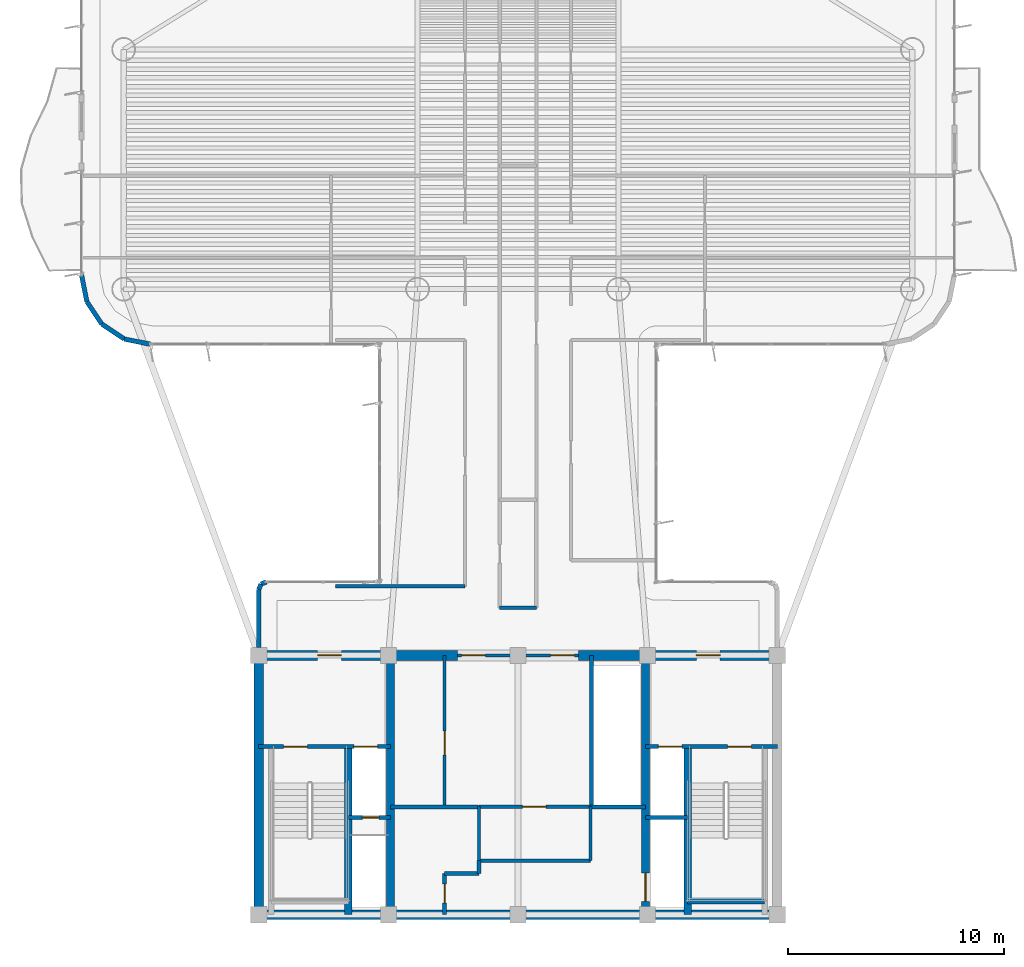
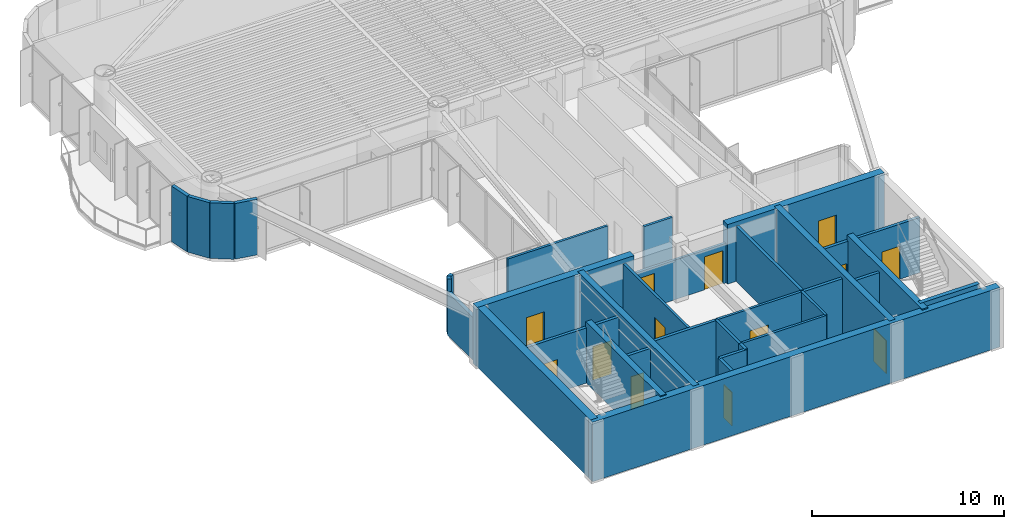
# One storey, part 9 of 14: 34 walls, 13 doors, 13 openings.
"""IFC4 building model written with IfcOpenShell, lengths in metres."""

from ifc_helpers import new_model, si_unit, direction, frame, frame_2d, origin, origin_2d, place, context, subcontext, project, spatial, rectangle, extrude, source, transform, mapped, material, layer, layer_set, type_object, element, fill, save


model = new_model("IFC4")

# Units and contexts
model_context = context("Model", 3, precision=1e-05, world=origin(), true_north=direction((0.0, 1.0)))
body_context = subcontext(model_context, "Body", "Model", "MODEL_VIEW")
ifc_project = project(units=[si_unit("LENGTHUNIT", "METRE"), si_unit("AREAUNIT", "SQUARE_METRE"), si_unit("VOLUMEUNIT", "CUBIC_METRE"), si_unit("PLANEANGLEUNIT", "RADIAN"), si_unit("MASSUNIT", "GRAM", prefix="KILO")], contexts=[model_context])

# Site, building, storey
site_placement = place(None, origin())
site = spatial("IfcSite", under=ifc_project, at=site_placement, CompositionType="ELEMENT")
building_placement = place(site_placement, origin())
building = spatial("IfcBuilding", under=site, at=building_placement, Name="Brelvock Crest Care Tower", CompositionType="ELEMENT")
storey_placement = place(building_placement, frame((0.0, 0.0, 179.10009765625)))
storey = spatial("IfcBuildingStorey", under=building, at=storey_placement, Name="L45", CompositionType="ELEMENT", Elevation=179.10009765625)

# Walls
ifc_material_1 = material(Name="Concrete S65 (65 MPa)", Category="concrete")
ifc_layer_1 = layer(ifc_material_1, 0.449951171875, Name="WL-CS3")
ifc_layer_set_1 = layer_set([ifc_layer_1], Name="Concrete S65 (65 MPa)")
wall_type_1 = type_object("IfcWallType", Name="WL-CS3", PredefinedType="SHEAR", material=ifc_layer_set_1)
wall_1_placement = place(storey_placement, frame((48.22509765625, 6.0, 0.0), z_axis=(0.0, 0.0, 1.0), x_axis=(-1.0, 0.0, 0.0)))
element("IfcWall", 1, at=wall_1_placement, inside=storey, type_object=wall_type_1, Name="L45 Core South Shear Wall", PredefinedType="SHEAR", context=body_context, shape_type="SweptSolid", body=[
    extrude(rectangle(XDim=24.4501953125, YDim=0.449951171875, at=frame_2d((12.22509765625, 0.0))), origin(), (0.0, 0.0, 1.0), 3.77978515625),
])
wall_2_placement = place(storey_placement, frame((24.0, 6.0, 0.0), z_axis=(0.0, 0.0, 1.0), x_axis=(0.0, 1.0, 0.0)))
element("IfcWall", 2, at=wall_2_placement, inside=storey, type_object=wall_type_1, Name="L45 Core West Shear Wall", PredefinedType="SHEAR", context=body_context, shape_type="SweptSolid", body=[
    extrude(rectangle(XDim=12.0, YDim=0.449951171875, at=frame_2d((6.0, 0.0))), origin(), (0.0, 0.0, 1.0), 3.77978515625),
])

# Wall, opening, door
wall_3_placement = place(storey_placement, frame((23.77490234375, 18.0, 0.0), z_axis=(0.0, 0.0, 1.0), x_axis=(1.0, 0.0, 0.0)))
wall_3 = element("IfcWall", 3, at=wall_3_placement, inside=storey, type_object=wall_type_1, Name="L45 Core North-West Shear Wall", PredefinedType="SHEAR", context=body_context, shape_type="SweptSolid", body=[
    extrude(rectangle(XDim=9.425048828125, YDim=0.449951171875, at=frame_2d((4.71240234375, 0.0))), origin(), (0.0, 0.0, 1.0), 3.77978515625),
])
opening_1_placement = place(wall_3_placement, frame((2.949951171875, 0.0, 0.0)))
opening_1 = element("IfcOpeningElement", 4, at=opening_1_placement, cuts=wall_3, Name="Opening FD-1", PredefinedType="OPENING", context=body_context, shape_type="SweptSolid", body=[
    extrude(rectangle(XDim=1.10009765625, YDim=2.10009765625, at=origin_2d()), frame((0.550048828125, 0.23486328125, 1.050048828125), z_axis=(0.0, -1.0, 0.0), x_axis=(1.0, 0.0, 0.0)), (0.0, 0.0, 1.0), 0.469970703125),
])
ifc_material_2 = material(Name="Steel Grade 350", Category="steel")
door_type_1 = type_object("IfcDoorType", Name="DR-FFL1", OperationType="NOTDEFINED", PredefinedType="DOOR", material=ifc_material_2)
shared_shape_1 = source(origin(), body_context, "Body", "SweptSolid", [
    extrude(rectangle(XDim=1.10009765625, YDim=2.10009765625, at=origin_2d()), frame((0.550048828125, 0.02490234375, 1.050048828125), z_axis=(0.0, -1.0, 0.0), x_axis=(1.0, 0.0, 0.0)), (0.0, 0.0, 1.0), 0.050048828125),
])
door_1_placement = place(opening_1_placement, origin())
door_1 = element("IfcDoor", 5, at=door_1_placement, inside=storey, type_object=door_type_1, Name="L45 Firefighting Lobby FFL-1 Exit Door", OperationType="SINGLE_SWING_LEFT", OverallHeight=2.10009765625, OverallWidth=1.10009765625, PredefinedType="DOOR", context=body_context, shape_type="MappedRepresentation", body=[
    mapped(shared_shape_1, transform((0.0, 0.0, 0.0), x_axis=(1.0, 0.0, 0.0), y_axis=(0.0, 1.0, 0.0), z_axis=(0.0, 0.0, 1.0), scale=1.0)),
])
fill(opening_1, door_1)

wall_4_placement = place(storey_placement, frame((38.800048828125, 18.0, 0.0), z_axis=(0.0, 0.0, 1.0), x_axis=(1.0, 0.0, 0.0)))
wall_4 = element("IfcWall", 6, at=wall_4_placement, inside=storey, type_object=wall_type_1, Name="L45 Core North-East Shear Wall", PredefinedType="SHEAR", context=body_context, shape_type="SweptSolid", body=[
    extrude(rectangle(XDim=9.425048828125, YDim=0.449951171875, at=frame_2d((4.71240234375, 0.0))), origin(), (0.0, 0.0, 1.0), 3.77978515625),
])
opening_2_placement = place(wall_4_placement, frame((5.449951171875, 0.0, 0.0)))
opening_2 = element("IfcOpeningElement", 7, at=opening_2_placement, cuts=wall_4, Name="Opening FD-1", PredefinedType="OPENING", context=body_context, shape_type="SweptSolid", body=[
    extrude(rectangle(XDim=1.10009765625, YDim=2.10009765625, at=origin_2d()), frame((0.550048828125, 0.23486328125, 1.050048828125), z_axis=(0.0, -1.0, 0.0), x_axis=(1.0, 0.0, 0.0)), (0.0, 0.0, 1.0), 0.469970703125),
])
door_2_placement = place(opening_2_placement, origin())
door_2 = element("IfcDoor", 8, at=door_2_placement, inside=storey, type_object=door_type_1, Name="L45 Firefighting Lobby FFL-2 Exit Door", OperationType="SINGLE_SWING_RIGHT", OverallHeight=2.10009765625, OverallWidth=1.10009765625, PredefinedType="DOOR", context=body_context, shape_type="MappedRepresentation", body=[
    mapped(shared_shape_1, transform((0.0, 0.0, 0.0), x_axis=(1.0, 0.0, 0.0), y_axis=(0.0, 1.0, 0.0), z_axis=(0.0, 0.0, 1.0), scale=1.0)),
])
fill(opening_2, door_2)

# Wall
ifc_material_3 = material(Name="Concrete S80 (80 MPa)", Category="concrete")
ifc_layer_2 = layer(ifc_material_3, 0.35009765625, Name="WL-CS5")
ifc_layer_set_2 = layer_set([ifc_layer_2], Name="Concrete S80 (80 MPa)")
wall_type_2 = type_object("IfcWallType", Name="WL-CS5", PredefinedType="SHEAR", material=ifc_layer_set_2)
wall_5_placement = place(storey_placement, frame((30.10009765625, 6.0, 0.0), z_axis=(0.0, 0.0, 1.0), x_axis=(0.0, 1.0, 0.0)))
element("IfcWall", 9, at=wall_5_placement, inside=storey, type_object=wall_type_2, Name="L45 Core Internal Web Wall West", PredefinedType="SHEAR", context=body_context, shape_type="SweptSolid", body=[
    extrude(rectangle(XDim=12.0, YDim=0.35009765625, at=frame_2d((6.0, 0.0))), origin(), (0.0, 0.0, 1.0), 3.77978515625),
])

# Wall, opening, door
wall_6_placement = place(storey_placement, frame((41.89990234375, 18.0, 0.0), z_axis=(0.0, 0.0, 1.0), x_axis=(0.0, -1.0, 0.0)))
wall_6 = element("IfcWall", 10, at=wall_6_placement, inside=storey, type_object=wall_type_2, Name="L45 Core Internal Web Wall East", PredefinedType="SHEAR", context=body_context, shape_type="SweptSolid", body=[
    extrude(rectangle(XDim=12.0, YDim=0.35009765625, at=frame_2d((6.0, 0.0))), origin(), (0.0, 0.0, 1.0), 3.77978515625),
])
opening_3_placement = place(wall_6_placement, frame((10.080078125, 0.0, 0.0)))
opening_3 = element("IfcOpeningElement", 11, at=opening_3_placement, cuts=wall_6, Name="Opening LD-S", PredefinedType="OPENING", context=body_context, shape_type="SweptSolid", body=[
    extrude(rectangle(XDim=1.300048828125, YDim=2.10009765625, at=origin_2d()), frame((0.64990234375, 0.18505859375, 1.050048828125), z_axis=(0.0, -1.0, 0.0), x_axis=(1.0, 0.0, 0.0)), (0.0, 0.0, 1.0), 0.3701171875),
])
door_type_2 = type_object("IfcDoorType", Name="DR-LDS1", OperationType="NOTDEFINED", PredefinedType="DOOR", material=ifc_material_2)
shared_shape_2 = source(origin(), body_context, "Body", "SweptSolid", [
    extrude(rectangle(XDim=1.300048828125, YDim=2.10009765625, at=origin_2d()), frame((0.64990234375, 0.02490234375, 1.050048828125), z_axis=(0.0, -1.0, 0.0), x_axis=(1.0, 0.0, 0.0)), (0.0, 0.0, 1.0), 0.050048828125),
])
door_3_placement = place(opening_3_placement, origin())
door_3 = element("IfcDoor", 12, at=door_3_placement, inside=storey, type_object=door_type_2, Name="L45 Clinical Bed Lift SL-1 Landing Door", OperationType="SLIDING_TO_LEFT", OverallHeight=2.10009765625, OverallWidth=1.300048828125, PredefinedType="DOOR", context=body_context, shape_type="MappedRepresentation", body=[
    mapped(shared_shape_2, transform((0.0, 0.0, 0.0), x_axis=(1.0, 0.0, 0.0), y_axis=(0.0, 1.0, 0.0), z_axis=(0.0, 0.0, 1.0), scale=1.0)),
])
fill(opening_3, door_3)

# Walls
for number, where, z_axis, x_axis, name in (
    (13, (28.14990234375, 6.0, 0.0), (0.0, 0.0, 1.0), (0.0, 1.0, 0.0), "L45 Core Stair ST-1 East Shear Wall"),
    (14, (43.85009765625, 6.0, 0.0), (0.0, 0.0, 1.0), (0.0, 1.0, 0.0), "L45 Core Stair ST-2 West Shear Wall"),
):
    element("IfcWall", number, at=place(storey_placement, frame(where, z_axis=z_axis, x_axis=x_axis)), inside=storey, type_object=wall_type_2, Name=name, PredefinedType="SHEAR", context=body_context, shape_type="SweptSolid", body=[
        extrude(rectangle(XDim=7.780029296875, YDim=0.35009765625, at=frame_2d((3.89013671875, 0.0))), origin(), (0.0, 0.0, 1.0), 3.849853515625),
    ])
ifc_layer_3 = layer(ifc_material_3, 0.25, Name="WL-CS6")
ifc_layer_set_3 = layer_set([ifc_layer_3], Name="Concrete S80 (80 MPa)")
wall_type_3 = type_object("IfcWallType", Name="WL-CS6", PredefinedType="SHEAR", material=ifc_layer_set_3)
wall_7_placement = place(storey_placement, frame((43.85009765625, 6.6201171875, 0.0), z_axis=(0.0, 0.0, 1.0), x_axis=(1.0, 0.0, 0.0)))
element("IfcWall", 15, at=wall_7_placement, inside=storey, type_object=wall_type_3, Name="L45 Core Stair ST-2 South Shear Wall", PredefinedType="SHEAR", context=body_context, shape_type="SweptSolid", body=[
    extrude(rectangle(XDim=3.56982421875, YDim=0.25, at=frame_2d((1.784912109375, 0.0))), origin(), (0.0, 0.0, 1.0), 3.849853515625),
])
ifc_material_4 = material(Name="Precast concrete N40 (40 MPa)", Category="concrete")
ifc_layer_4 = layer(ifc_material_4, 0.215087890625, Name="WL-EX2")
ifc_layer_set_4 = layer_set([ifc_layer_4], Name="Precast concrete N40 (40 MPa)")
wall_type_4 = type_object("IfcWallType", Name="WL-EX2", PredefinedType="SOLIDWALL", material=ifc_layer_set_4)
wall_8_placement = place(storey_placement, frame((24.0, 18.35498046875, 0.0), z_axis=(0.0, 0.0, 1.0), x_axis=(0.0, 1.0, 0.0)))
element("IfcWall", 16, at=wall_8_placement, inside=storey, type_object=wall_type_4, Name="L45 Rounded Corner Wall 07", PredefinedType="SOLIDWALL", context=body_context, shape_type="SweptSolid", body=[
    extrude(rectangle(XDim=2.695068359375, YDim=0.215087890625, at=frame_2d((1.34765625, 0.0))), origin(), (0.0, 0.0, 1.0), 2.718017578125),
])
wall_9_placement = place(storey_placement, frame((24.0, 21.050048828125, 0.0), z_axis=(0.0, 0.0, 1.0), x_axis=(0.382673670509, 0.923883575944, 0.0)))
element("IfcWall", 17, at=wall_9_placement, inside=storey, type_object=wall_type_4, Name="L45 Rounded Corner Wall 08", PredefinedType="SOLIDWALL", context=body_context, shape_type="SweptSolid", body=[
    extrude(rectangle(XDim=0.26806640625, YDim=0.215087890625, at=frame_2d((0.134033203125, 0.0))), origin(), (0.0, 0.0, 1.0), 3.52978515625),
])
wall_10_placement = place(storey_placement, frame((24.1025390625, 21.297607421875, 0.0), z_axis=(0.0, 0.0, 1.0), x_axis=(0.924205486139, 0.381895560841, 0.0)))
element("IfcWall", 18, at=wall_10_placement, inside=storey, type_object=wall_type_4, Name="L45 Rounded Corner Wall 09", PredefinedType="SOLIDWALL", context=body_context, shape_type="SweptSolid", body=[
    extrude(rectangle(XDim=0.267822265625, YDim=0.215087890625, at=frame_2d((0.1337890625, 0.0))), origin(), (0.0, 0.0, 1.0), 3.52978515625),
])
for number, where, z_axis, x_axis, name in (
    (19, (19.0, 32.39990234375, 0.0), (0.0, 0.0, 1.0), (-0.980775717779, 0.195138390419, 0.0), "L45 Rounded Corner Wall 13"),
    (20, (17.775390625, 32.6435546875, 0.0), (0.0, 0.0, 1.0), (-0.831387912822, 0.555692485475, 0.0), "L45 Rounded Corner Wall 14"),
    (21, (16.7373046875, 33.33740234375, 0.0), (0.0, 0.0, 1.0), (-0.555557312883, 0.831478245117, 0.0), "L45 Rounded Corner Wall 15"),
    (22, (16.043701171875, 34.37548828125, 0.0), (0.0, 0.0, 1.0), (-0.195138390419, 0.980775717779, 0.0), "L45 Rounded Corner Wall 16"),
):
    element("IfcWall", number, at=place(storey_placement, frame(where, z_axis=z_axis, x_axis=x_axis)), inside=storey, type_object=wall_type_4, Name=name, PredefinedType="SOLIDWALL", context=body_context, shape_type="SweptSolid", body=[
        extrude(rectangle(XDim=1.24853515625, YDim=0.215087890625, at=frame_2d((0.624267578125, 0.0))), origin(), (0.0, 0.0, 1.0), 3.52978515625),
    ])

# Wall, opening, door
ifc_material_5 = material(Name="Masonry Blockwork Acoustic Partition", Category="masonry")
ifc_layer_5 = layer(ifc_material_5, 0.14990234375, Name="WL-INT1")
ifc_layer_set_5 = layer_set([ifc_layer_5], Name="Masonry Blockwork Acoustic Partition")
wall_type_5 = type_object("IfcWallType", Name="WL-INT1", PredefinedType="PARTITIONING", material=ifc_layer_set_5)
wall_11_placement = place(storey_placement, frame((32.60009765625, 11.0, 0.0), z_axis=(0.0, 0.0, 1.0), x_axis=(0.0, 1.0, 0.0)))
wall_11 = element("IfcWall", 23, at=wall_11_placement, inside=storey, type_object=wall_type_5, Name="L45 Interior Wall WL-CRCL-E-L45", PredefinedType="PARTITIONING", context=body_context, shape_type="SweptSolid", body=[
    extrude(rectangle(XDim=7.0, YDim=0.14990234375, at=frame_2d((3.5, 0.0))), origin(), (0.0, 0.0, 1.0), 3.5),
])
opening_4_placement = place(wall_11_placement, frame((2.39990234375, 0.0, 0.0)))
opening_4 = element("IfcOpeningElement", 24, at=opening_4_placement, cuts=wall_11, Name="Opening PD-1", PredefinedType="OPENING", context=body_context, shape_type="SweptSolid", body=[
    extrude(rectangle(XDim=1.10009765625, YDim=2.10009765625, at=origin_2d()), frame((0.550048828125, 0.0849609375, 1.050048828125), z_axis=(0.0, -1.0, 0.0), x_axis=(1.0, 0.0, 0.0)), (0.0, 0.0, 1.0), 0.169921875),
])
door_type_3 = type_object("IfcDoorType", Name="DR-PLT1", OperationType="NOTDEFINED", PredefinedType="DOOR", material=ifc_material_2)
shared_shape_3 = source(origin(), body_context, "Body", "SweptSolid", [
    extrude(rectangle(XDim=1.10009765625, YDim=2.10009765625, at=origin_2d()), frame((0.550048828125, 0.02490234375, 1.050048828125), z_axis=(0.0, -1.0, 0.0), x_axis=(1.0, 0.0, 0.0)), (0.0, 0.0, 1.0), 0.050048828125),
])
door_4_placement = place(opening_4_placement, origin())
door_4 = element("IfcDoor", 25, at=door_4_placement, inside=storey, type_object=door_type_3, Name="DR-CRCL1-L45", OperationType="SINGLE_SWING_LEFT", OverallHeight=2.10009765625, OverallWidth=1.10009765625, PredefinedType="DOOR", context=body_context, shape_type="MappedRepresentation", body=[
    mapped(shared_shape_3, transform((0.0, 0.0, 0.0), x_axis=(1.0, 0.0, 0.0), y_axis=(0.0, 1.0, 0.0), z_axis=(0.0, 0.0, 1.0), scale=1.0)),
])
fill(opening_4, door_4)

# Walls
wall_12_placement = place(storey_placement, frame((34.199951171875, 8.5, 0.0), z_axis=(0.0, 0.0, 1.0), x_axis=(1.0, 0.0, 0.0)))
element("IfcWall", 26, at=wall_12_placement, inside=storey, type_object=wall_type_5, Name="L45 Interior Wall WL-CRCM-S-L45", PredefinedType="PARTITIONING", context=body_context, shape_type="SweptSolid", body=[
    extrude(rectangle(XDim=5.150146484375, YDim=0.14990234375, at=frame_2d((2.5751953125, 0.0))), origin(), (0.0, 0.0, 1.0), 3.5),
])
for number, where, z_axis, x_axis, name in (
    (27, (34.199951171875, 8.5, 0.0), (0.0, 0.0, 1.0), (0.0, 1.0, 0.0), "L45 Interior Wall WL-CRCM-W-L45"),
    (28, (39.35009765625, 8.5, 0.0), (0.0, 0.0, 1.0), (0.0, 1.0, 0.0), "L45 Interior Wall WL-CRCM-E-L45"),
):
    element("IfcWall", number, at=place(storey_placement, frame(where, z_axis=z_axis, x_axis=x_axis)), inside=storey, type_object=wall_type_5, Name=name, PredefinedType="PARTITIONING", context=body_context, shape_type="SweptSolid", body=[
        extrude(rectangle(XDim=2.5, YDim=0.14990234375, at=frame_2d((1.25, 0.0))), origin(), (0.0, 0.0, 1.0), 3.5),
    ])

# Wall, opening, door
wall_13_placement = place(storey_placement, frame((34.199951171875, 11.0, 0.0), z_axis=(0.0, 0.0, 1.0), x_axis=(1.0, 0.0, 0.0)))
wall_13 = element("IfcWall", 29, at=wall_13_placement, inside=storey, type_object=wall_type_5, Name="L45 Interior Wall WL-CRCM-N-L45", PredefinedType="PARTITIONING", context=body_context, shape_type="SweptSolid", body=[
    extrude(rectangle(XDim=5.150146484375, YDim=0.14990234375, at=frame_2d((2.5751953125, 0.0))), origin(), (0.0, 0.0, 1.0), 3.5),
])
opening_5_placement = place(wall_13_placement, frame((2.0, 0.0, 0.0)))
opening_5 = element("IfcOpeningElement", 30, at=opening_5_placement, cuts=wall_13, Name="Opening PD-1", PredefinedType="OPENING", context=body_context, shape_type="SweptSolid", body=[
    extrude(rectangle(XDim=1.10009765625, YDim=2.10009765625, at=origin_2d()), frame((0.550048828125, 0.0849609375, 1.050048828125), z_axis=(0.0, -1.0, 0.0), x_axis=(1.0, 0.0, 0.0)), (0.0, 0.0, 1.0), 0.169921875),
])
door_5_placement = place(opening_5_placement, origin())
door_5 = element("IfcDoor", 31, at=door_5_placement, inside=storey, type_object=door_type_3, Name="DR-CRCM1-L45", OperationType="SINGLE_SWING_LEFT", OverallHeight=2.10009765625, OverallWidth=1.10009765625, PredefinedType="DOOR", context=body_context, shape_type="MappedRepresentation", body=[
    mapped(shared_shape_3, transform((0.0, 0.0, 0.0), x_axis=(1.0, 0.0, 0.0), y_axis=(0.0, 1.0, 0.0), z_axis=(0.0, 0.0, 1.0), scale=1.0)),
])
fill(opening_5, door_5)

# Wall, openings, doors
wall_14_placement = place(storey_placement, frame((33.199951171875, 18.0, 0.0), z_axis=(0.0, 0.0, 1.0), x_axis=(1.0, 0.0, 0.0)))
wall_14 = element("IfcWall", 32, at=wall_14_placement, inside=storey, type_object=wall_type_5, Name="L45 Interior Wall WL-CORE-NPORT-L45", PredefinedType="PARTITIONING", context=body_context, shape_type="SweptSolid", body=[
    extrude(rectangle(XDim=5.60009765625, YDim=0.14990234375, at=frame_2d((2.800048828125, 0.0))), origin(), (0.0, 0.0, 1.0), 2.514892578125),
])
opening_6_placement = place(wall_14_placement, frame((0.18994140625, 0.0, 0.0)))
opening_6 = element("IfcOpeningElement", 33, at=opening_6_placement, cuts=wall_14, Name="Opening FD-1", PredefinedType="OPENING", context=body_context, shape_type="SweptSolid", body=[
    extrude(rectangle(XDim=1.10009765625, YDim=2.10009765625, at=origin_2d()), frame((0.550048828125, 0.0849609375, 1.050048828125), z_axis=(0.0, -1.0, 0.0), x_axis=(1.0, 0.0, 0.0)), (0.0, 0.0, 1.0), 0.169921875),
])
opening_7_placement = place(wall_14_placement, frame((4.31005859375, 0.0, 0.0)))
opening_7 = element("IfcOpeningElement", 34, at=opening_7_placement, cuts=wall_14, Name="Opening FD-1", PredefinedType="OPENING", context=body_context, shape_type="SweptSolid", body=[
    extrude(rectangle(XDim=1.10009765625, YDim=2.10009765625, at=origin_2d()), frame((0.550048828125, 0.0849609375, 1.050048828125), z_axis=(0.0, -1.0, 0.0), x_axis=(1.0, 0.0, 0.0)), (0.0, 0.0, 1.0), 0.169921875),
])
door_6_placement = place(opening_6_placement, origin())
door_6 = element("IfcDoor", 35, at=door_6_placement, inside=storey, type_object=door_type_1, Name="L45 Lift Lobby North Smoke Door West", OperationType="SINGLE_SWING_LEFT", OverallHeight=2.10009765625, OverallWidth=1.10009765625, PredefinedType="DOOR", context=body_context, shape_type="MappedRepresentation", body=[
    mapped(shared_shape_1, transform((0.0, 0.0, 0.0), x_axis=(1.0, 0.0, 0.0), y_axis=(0.0, 1.0, 0.0), z_axis=(0.0, 0.0, 1.0), scale=1.0)),
])
fill(opening_6, door_6)
door_7_placement = place(opening_7_placement, origin())
door_7 = element("IfcDoor", 36, at=door_7_placement, inside=storey, type_object=door_type_1, Name="L45 Lift Lobby North Smoke Door East", OperationType="SINGLE_SWING_RIGHT", OverallHeight=2.10009765625, OverallWidth=1.10009765625, PredefinedType="DOOR", context=body_context, shape_type="MappedRepresentation", body=[
    mapped(shared_shape_1, transform((0.0, 0.0, 0.0), x_axis=(1.0, 0.0, 0.0), y_axis=(0.0, 1.0, 0.0), z_axis=(0.0, 0.0, 1.0), scale=1.0)),
])
fill(opening_7, door_7)

# Walls
wall_15_placement = place(storey_placement, frame((27.5576171875, 21.199951171875, 0.0), z_axis=(0.0, 0.0, 1.0), x_axis=(1.0, 0.0, 0.0)))
element("IfcWall", 37, at=wall_15_placement, inside=storey, type_object=wall_type_5, Name="L45 Interior Wall WL-BX-L45-THRW-S", PredefinedType="PARTITIONING", context=body_context, shape_type="SweptSolid", body=[
    extrude(rectangle(XDim=5.992431640625, YDim=0.14990234375, at=frame_2d((2.99609375, 0.0))), origin(), (0.0, 0.0, 1.0), 3.5),
])
ifc_material_6 = material(Name="Gypsum Plasterboard Partition", Category="gypsum")
ifc_layer_6 = layer(ifc_material_6, 0.159912109375, Name="WL-PLM1")
ifc_layer_set_6 = layer_set([ifc_layer_6], Name="Gypsum Plasterboard Partition")
wall_type_6 = type_object("IfcWallType", Name="WL-PLM1", PredefinedType="PLUMBINGWALL", material=ifc_layer_set_6)
wall_16_placement = place(storey_placement, frame((35.14990234375, 20.199951171875, 0.0), z_axis=(0.0, 0.0, 1.0), x_axis=(1.0, 0.0, 0.0)))
element("IfcWall", 38, at=wall_16_placement, inside=storey, type_object=wall_type_6, Name="L45 Interior Wall WL-BX-L45-ISWC-S", PredefinedType="PLUMBINGWALL", context=body_context, shape_type="SweptSolid", body=[
    extrude(rectangle(XDim=1.7001953125, YDim=0.159912109375, at=frame_2d((0.85009765625, 0.0))), origin(), (0.0, 0.0, 1.0), 3.5),
])
ifc_layer_7 = layer(ifc_material_5, 0.179931640625, Name="WL-SHF1")
ifc_layer_set_7 = layer_set([ifc_layer_7], Name="Masonry Blockwork Acoustic Partition")
wall_type_7 = type_object("IfcWallType", Name="WL-SHF1", PredefinedType="PARTITIONING", material=ifc_layer_set_7)
wall_17_placement = place(storey_placement, frame((39.39990234375, 11.0, 0.0), z_axis=(0.0, 0.0, 1.0), x_axis=(0.0, 1.0, 0.0)))
element("IfcWall", 39, at=wall_17_placement, inside=storey, type_object=wall_type_7, Name="L45 Interior Wall WL-PLH-SHF-L45", PredefinedType="PARTITIONING", context=body_context, shape_type="SweptSolid", body=[
    extrude(rectangle(XDim=7.0, YDim=0.179931640625, at=frame_2d((3.5, 0.0))), origin(), (0.0, 0.0, 1.0), 3.5),
])
wall_18_placement = place(storey_placement, frame((30.10009765625, 10.97998046875, 0.0), z_axis=(0.0, 0.0, 1.0), x_axis=(1.0, 0.0, 0.0)))
element("IfcWall", 40, at=wall_18_placement, inside=storey, type_object=wall_type_7, Name="L45 Interior Wall WL-CSBW-N-L45", PredefinedType="PARTITIONING", context=body_context, shape_type="SweptSolid", body=[
    extrude(rectangle(XDim=4.079833984375, YDim=0.179931640625, at=frame_2d((2.0400390625, 0.0))), origin(), (0.0, 0.0, 1.0), 3.5),
])
wall_19_placement = place(storey_placement, frame((34.199951171875, 7.89990234375, 0.0), z_axis=(0.0, 0.0, 1.0), x_axis=(0.0, 1.0, 0.0)))
element("IfcWall", 41, at=wall_19_placement, inside=storey, type_object=wall_type_7, Name="L45 Interior Wall WL-CSBW-E2-L45", PredefinedType="PARTITIONING", context=body_context, shape_type="SweptSolid", body=[
    extrude(rectangle(XDim=0.60009765625, YDim=0.179931640625, at=frame_2d((0.300048828125, 0.0))), origin(), (0.0, 0.0, 1.0), 3.5),
])
wall_20_placement = place(storey_placement, frame((32.60009765625, 7.89990234375, 0.0), z_axis=(0.0, 0.0, 1.0), x_axis=(1.0, 0.0, 0.0)))
element("IfcWall", 42, at=wall_20_placement, inside=storey, type_object=wall_type_7, Name="L45 Interior Wall WL-CSBW-S2-L45", PredefinedType="PARTITIONING", context=body_context, shape_type="SweptSolid", body=[
    extrude(rectangle(XDim=1.599853515625, YDim=0.179931640625, at=frame_2d((0.7998046875, 0.0))), origin(), (0.0, 0.0, 1.0), 3.5),
])

# Wall, opening, door
wall_21_placement = place(storey_placement, frame((32.60009765625, 6.0, 0.0), z_axis=(0.0, 0.0, 1.0), x_axis=(0.0, 1.0, 0.0)))
wall_21 = element("IfcWall", 43, at=wall_21_placement, inside=storey, type_object=wall_type_7, Name="L45 Interior Wall WL-CSBW-E1-L45", PredefinedType="PARTITIONING", context=body_context, shape_type="SweptSolid", body=[
    extrude(rectangle(XDim=1.89990234375, YDim=0.179931640625, at=frame_2d((0.949951171875, 0.0))), origin(), (0.0, 0.0, 1.0), 3.5),
])
opening_8_placement = place(wall_21_placement, frame((0.550048828125, 0.0, 0.0)))
opening_8 = element("IfcOpeningElement", 44, at=opening_8_placement, cuts=wall_21, Name="Opening ID-1", PredefinedType="OPENING", context=body_context, shape_type="SweptSolid", body=[
    extrude(rectangle(XDim=0.860107421875, YDim=2.10009765625, at=origin_2d()), frame((0.43017578125, 0.10009765625, 1.050048828125), z_axis=(0.0, -1.0, 0.0), x_axis=(1.0, 0.0, 0.0)), (0.0, 0.0, 1.0), 0.199951171875),
])
ifc_material_7 = material(Name="Engineered Hardwood Timber", Category="wood")
door_type_4 = type_object("IfcDoorType", Name="DR-INT1", OperationType="NOTDEFINED", PredefinedType="DOOR", material=ifc_material_7)
shared_shape_4 = source(origin(), body_context, "Body", "SweptSolid", [
    extrude(rectangle(XDim=0.860107421875, YDim=2.10009765625, at=origin_2d()), frame((0.43017578125, 0.02490234375, 1.050048828125), z_axis=(0.0, -1.0, 0.0), x_axis=(1.0, 0.0, 0.0)), (0.0, 0.0, 1.0), 0.050048828125),
])
door_8_placement = place(opening_8_placement, origin())
door_8 = element("IfcDoor", 45, at=door_8_placement, inside=storey, type_object=door_type_4, Name="DR-CSBW-L45", OperationType="SINGLE_SWING_LEFT", OverallHeight=2.10009765625, OverallWidth=0.860107421875, PredefinedType="DOOR", context=body_context, shape_type="MappedRepresentation", body=[
    mapped(shared_shape_4, transform((0.0, 0.0, 0.0), x_axis=(1.0, 0.0, 0.0), y_axis=(0.0, 1.0, 0.0), z_axis=(0.0, 0.0, 1.0), scale=1.0)),
])
fill(opening_8, door_8)

# Wall
wall_22_placement = place(storey_placement, frame((39.35009765625, 10.97998046875, 0.0), z_axis=(0.0, 0.0, 1.0), x_axis=(1.0, 0.0, 0.0)))
element("IfcWall", 46, at=wall_22_placement, inside=storey, type_object=wall_type_7, Name="L45 Interior Wall WL-CSBE-N-L45", PredefinedType="PARTITIONING", context=body_context, shape_type="SweptSolid", body=[
    extrude(rectangle(XDim=2.5498046875, YDim=0.179931640625, at=frame_2d((1.27490234375, 0.0))), origin(), (0.0, 0.0, 1.0), 3.5),
])

# Wall, openings, doors
wall_23_placement = place(storey_placement, frame((24.0, 13.780029296875, 0.0), z_axis=(0.0, 0.0, 1.0), x_axis=(1.0, 0.0, 0.0)))
wall_23 = element("IfcWall", 47, at=wall_23_placement, inside=storey, type_object=wall_type_7, Name="L45 Interior Wall WL-ST1-N-L45", PredefinedType="PARTITIONING", context=body_context, shape_type="SweptSolid", body=[
    extrude(rectangle(XDim=6.10009765625, YDim=0.179931640625, at=frame_2d((3.050048828125, 0.0))), origin(), (0.0, 0.0, 1.0), 3.5),
])
opening_9_placement = place(wall_23_placement, frame((1.14990234375, 0.0, 0.0)))
opening_9 = element("IfcOpeningElement", 48, at=opening_9_placement, cuts=wall_23, Name="Opening SD-1", PredefinedType="OPENING", context=body_context, shape_type="SweptSolid", body=[
    extrude(rectangle(XDim=1.10009765625, YDim=2.10009765625, at=origin_2d()), frame((0.550048828125, 0.10009765625, 1.050048828125), z_axis=(0.0, -1.0, 0.0), x_axis=(1.0, 0.0, 0.0)), (0.0, 0.0, 1.0), 0.199951171875),
])
opening_10_placement = place(wall_23_placement, frame((4.39990234375, 0.0, 0.0)))
opening_10 = element("IfcOpeningElement", 49, at=opening_10_placement, cuts=wall_23, Name="Opening LD", PredefinedType="OPENING", context=body_context, shape_type="SweptSolid", body=[
    extrude(rectangle(XDim=1.10009765625, YDim=2.10009765625, at=origin_2d()), frame((0.550048828125, 0.10009765625, 1.050048828125), z_axis=(0.0, -1.0, 0.0), x_axis=(1.0, 0.0, 0.0)), (0.0, 0.0, 1.0), 0.199951171875),
])
door_type_5 = type_object("IfcDoorType", Name="DR-ST1", OperationType="NOTDEFINED", PredefinedType="DOOR", material=ifc_material_2)
shared_shape_5 = source(origin(), body_context, "Body", "SweptSolid", [
    extrude(rectangle(XDim=1.10009765625, YDim=2.10009765625, at=origin_2d()), frame((0.550048828125, 0.02490234375, 1.050048828125), z_axis=(0.0, -1.0, 0.0), x_axis=(1.0, 0.0, 0.0)), (0.0, 0.0, 1.0), 0.050048828125),
])
door_9_placement = place(opening_9_placement, origin())
door_9 = element("IfcDoor", 50, at=door_9_placement, inside=storey, type_object=door_type_5, Name="L45 Fire Stair ST-1 Door", OperationType="SINGLE_SWING_LEFT", OverallHeight=2.10009765625, OverallWidth=1.10009765625, PredefinedType="DOOR", context=body_context, shape_type="MappedRepresentation", body=[
    mapped(shared_shape_5, transform((0.0, 0.0, 0.0), x_axis=(1.0, 0.0, 0.0), y_axis=(0.0, 1.0, 0.0), z_axis=(0.0, 0.0, 1.0), scale=1.0)),
])
fill(opening_9, door_9)
door_type_6 = type_object("IfcDoorType", Name="DR-LD1", OperationType="NOTDEFINED", PredefinedType="DOOR", material=ifc_material_2)
shared_shape_6 = source(origin(), body_context, "Body", "SweptSolid", [
    extrude(rectangle(XDim=1.10009765625, YDim=2.10009765625, at=origin_2d()), frame((0.550048828125, 0.02490234375, 1.050048828125), z_axis=(0.0, -1.0, 0.0), x_axis=(1.0, 0.0, 0.0)), (0.0, 0.0, 1.0), 0.050048828125),
])
door_10_placement = place(opening_10_placement, origin())
door_10 = element("IfcDoor", 51, at=door_10_placement, inside=storey, type_object=door_type_6, Name="L45 Firefighting Lift FFL-1 Landing Door", OperationType="SLIDING_TO_LEFT", OverallHeight=2.10009765625, OverallWidth=1.10009765625, PredefinedType="DOOR", context=body_context, shape_type="MappedRepresentation", body=[
    mapped(shared_shape_6, transform((0.0, 0.0, 0.0), x_axis=(1.0, 0.0, 0.0), y_axis=(0.0, 1.0, 0.0), z_axis=(0.0, 0.0, 1.0), scale=1.0)),
])
fill(opening_10, door_10)

# Wall, opening, door
wall_24_placement = place(storey_placement, frame((28.14990234375, 10.5, 0.0), z_axis=(0.0, 0.0, 1.0), x_axis=(1.0, 0.0, 0.0)))
wall_24 = element("IfcWall", 52, at=wall_24_placement, inside=storey, type_object=wall_type_7, Name="L45 Interior Wall WL-FFH1-S-L45", PredefinedType="PARTITIONING", context=body_context, shape_type="SweptSolid", body=[
    extrude(rectangle(XDim=1.9501953125, YDim=0.179931640625, at=frame_2d((0.97509765625, 0.0))), origin(), (0.0, 0.0, 1.0), 3.5),
])
opening_11_placement = place(wall_24_placement, frame((0.64990234375, 0.0, 0.0)))
opening_11 = element("IfcOpeningElement", 53, at=opening_11_placement, cuts=wall_24, Name="Opening RD-1", PredefinedType="OPENING", context=body_context, shape_type="SweptSolid", body=[
    extrude(rectangle(XDim=0.760009765625, YDim=2.050048828125, at=origin_2d()), frame((0.3798828125, 0.10009765625, 1.02490234375), z_axis=(0.0, -1.0, 0.0), x_axis=(1.0, 0.0, 0.0)), (0.0, 0.0, 1.0), 0.199951171875),
])
door_type_7 = type_object("IfcDoorType", Name="DR-RIS1", OperationType="NOTDEFINED", PredefinedType="DOOR", material=ifc_material_2)
shared_shape_7 = source(origin(), body_context, "Body", "SweptSolid", [
    extrude(rectangle(XDim=0.760009765625, YDim=2.050048828125, at=origin_2d()), frame((0.3798828125, 0.02490234375, 1.02490234375), z_axis=(0.0, -1.0, 0.0), x_axis=(1.0, 0.0, 0.0)), (0.0, 0.0, 1.0), 0.050048828125),
])
door_11_placement = place(opening_11_placement, origin())
door_11 = element("IfcDoor", 54, at=door_11_placement, inside=storey, type_object=door_type_7, Name="L45 Wet Fire Riser Access Door", OperationType="SINGLE_SWING_LEFT", OverallHeight=2.050048828125, OverallWidth=0.760009765625, PredefinedType="DOOR", context=body_context, shape_type="MappedRepresentation", body=[
    mapped(shared_shape_7, transform((0.0, 0.0, 0.0), x_axis=(1.0, 0.0, 0.0), y_axis=(0.0, 1.0, 0.0), z_axis=(0.0, 0.0, 1.0), scale=1.0)),
])
fill(opening_11, door_11)

# Wall, openings, doors
wall_25_placement = place(storey_placement, frame((41.89990234375, 13.780029296875, 0.0), z_axis=(0.0, 0.0, 1.0), x_axis=(1.0, 0.0, 0.0)))
wall_25 = element("IfcWall", 55, at=wall_25_placement, inside=storey, type_object=wall_type_7, Name="L45 Interior Wall WL-ST2-N-L45", PredefinedType="PARTITIONING", context=body_context, shape_type="SweptSolid", body=[
    extrude(rectangle(XDim=6.10009765625, YDim=0.179931640625, at=frame_2d((3.050048828125, 0.0))), origin(), (0.0, 0.0, 1.0), 3.5),
])
opening_12_placement = place(wall_25_placement, frame((0.60009765625, 0.0, 0.0)))
opening_12 = element("IfcOpeningElement", 56, at=opening_12_placement, cuts=wall_25, Name="Opening LD", PredefinedType="OPENING", context=body_context, shape_type="SweptSolid", body=[
    extrude(rectangle(XDim=1.10009765625, YDim=2.10009765625, at=origin_2d()), frame((0.550048828125, 0.10009765625, 1.050048828125), z_axis=(0.0, -1.0, 0.0), x_axis=(1.0, 0.0, 0.0)), (0.0, 0.0, 1.0), 0.199951171875),
])
opening_13_placement = place(wall_25_placement, frame((3.800048828125, 0.0, 0.0)))
opening_13 = element("IfcOpeningElement", 57, at=opening_13_placement, cuts=wall_25, Name="Opening SD-1", PredefinedType="OPENING", context=body_context, shape_type="SweptSolid", body=[
    extrude(rectangle(XDim=1.10009765625, YDim=2.10009765625, at=origin_2d()), frame((0.550048828125, 0.10009765625, 1.050048828125), z_axis=(0.0, -1.0, 0.0), x_axis=(1.0, 0.0, 0.0)), (0.0, 0.0, 1.0), 0.199951171875),
])
door_12_placement = place(opening_13_placement, origin())
door_12 = element("IfcDoor", 58, at=door_12_placement, inside=storey, type_object=door_type_5, Name="L45 Fire Stair ST-2 Door", OperationType="SINGLE_SWING_RIGHT", OverallHeight=2.10009765625, OverallWidth=1.10009765625, PredefinedType="DOOR", context=body_context, shape_type="MappedRepresentation", body=[
    mapped(shared_shape_5, transform((0.0, 0.0, 0.0), x_axis=(1.0, 0.0, 0.0), y_axis=(0.0, 1.0, 0.0), z_axis=(0.0, 0.0, 1.0), scale=1.0)),
])
fill(opening_13, door_12)
door_13_placement = place(opening_12_placement, origin())
door_13 = element("IfcDoor", 59, at=door_13_placement, inside=storey, type_object=door_type_6, Name="L45 Firefighting Lift FFL-2 Landing Door", OperationType="SLIDING_TO_RIGHT", OverallHeight=2.10009765625, OverallWidth=1.10009765625, PredefinedType="DOOR", context=body_context, shape_type="MappedRepresentation", body=[
    mapped(shared_shape_6, transform((0.0, 0.0, 0.0), x_axis=(1.0, 0.0, 0.0), y_axis=(0.0, 1.0, 0.0), z_axis=(0.0, 0.0, 1.0), scale=1.0)),
])
fill(opening_12, door_13)

# Wall
wall_26_placement = place(storey_placement, frame((41.89990234375, 10.5, 0.0), z_axis=(0.0, 0.0, 1.0), x_axis=(1.0, 0.0, 0.0)))
element("IfcWall", 60, at=wall_26_placement, inside=storey, type_object=wall_type_7, Name="L45 Interior Wall WL-FFH2-S-L45", PredefinedType="PARTITIONING", context=body_context, shape_type="SweptSolid", body=[
    extrude(rectangle(XDim=1.9501953125, YDim=0.179931640625, at=frame_2d((0.97509765625, 0.0))), origin(), (0.0, 0.0, 1.0), 3.5),
])

save(model, "model.ifc")
